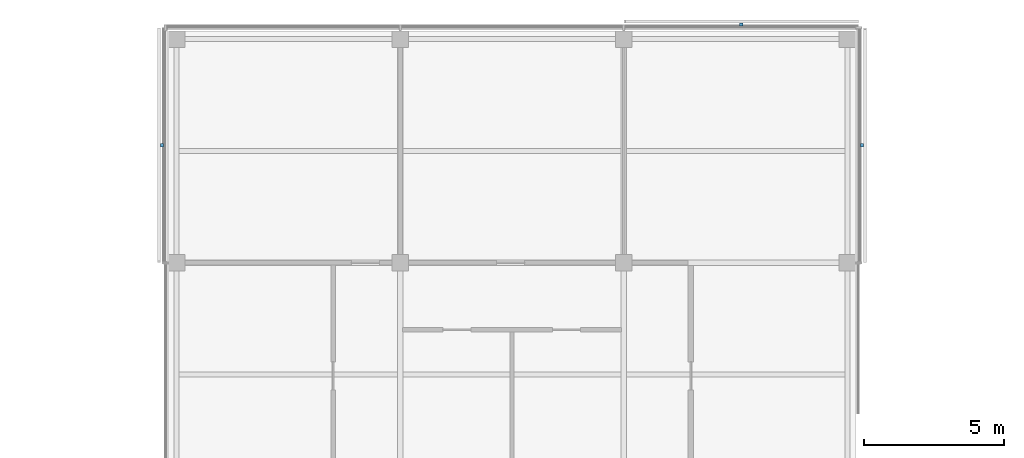
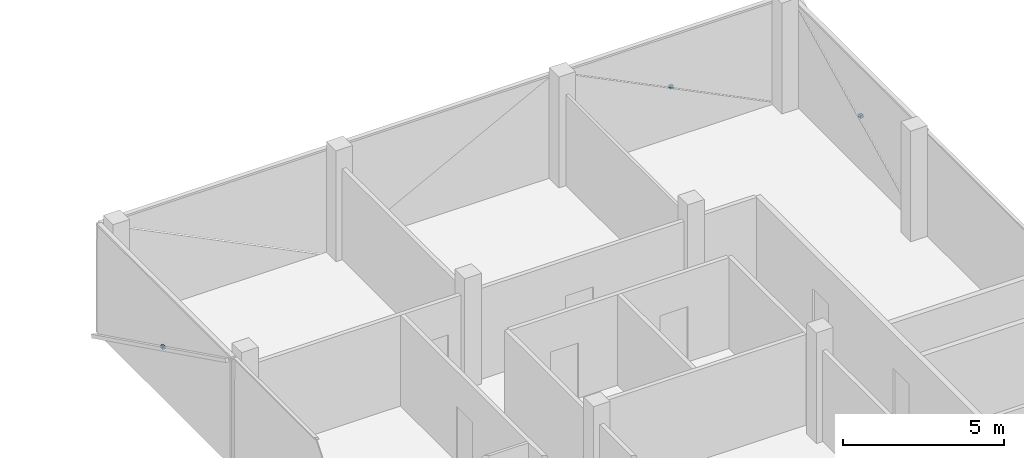
# One storey, part 15 of 16: 3 discrete accessories.
"""IFC4 building model written with IfcOpenShell, lengths in metres."""

from ifc_helpers import new_model, si_unit, direction, frame, origin, origin_2d, place, context, subcontext, project, spatial, rectangle, extrude, material, type_object, element, save


model = new_model("IFC4")

# Units and contexts
model_context = context("Model", 3, precision=1e-05, world=origin(), true_north=direction((0.0, 1.0)))
body_context = subcontext(model_context, "Body", "Model", "MODEL_VIEW")
ifc_project = project(units=[si_unit("LENGTHUNIT", "METRE"), si_unit("AREAUNIT", "SQUARE_METRE"), si_unit("VOLUMEUNIT", "CUBIC_METRE"), si_unit("PLANEANGLEUNIT", "RADIAN"), si_unit("MASSUNIT", "GRAM", prefix="KILO")], contexts=[model_context])

# Site, building, storey
site_placement = place(None, origin())
site = spatial("IfcSite", under=ifc_project, at=site_placement, CompositionType="ELEMENT")
building_placement = place(site_placement, origin())
building = spatial("IfcBuilding", under=site, at=building_placement, Name="Crosswind Convention Tower", CompositionType="ELEMENT")
storey_placement = place(building_placement, frame((0.0, 0.0, 336.5)))
storey = spatial("IfcBuildingStorey", under=building, at=storey_placement, Name="L73", CompositionType="ELEMENT", Elevation=336.5)

# Discrete accessories
ifc_material = material(Name="Stainless steel", Category="steel")
discrete_accessory_type = type_object("IfcDiscreteAccessoryType", Name="BAGUETTE BRACKET BK3", PredefinedType="BRACKET", material=ifc_material)
for number, where, z_axis, x_axis, name in (
    (1, (137.52587890625, 124.205078125, 1.704833984375), (0.0, 0.0, 1.0), (0.0, 1.0, 0.0), "BK3 baguette bracket"),
    (2, (133.205078125, 128.52587890625, 1.704833984375), (0.0, 0.0, 1.0), (-1.0, 0.0, 0.0), "BK3 baguette bracket"),
    (3, (112.47412109375, 124.205078125, 1.704833984375), (0.0, 0.0, 1.0), (0.0, -1.0, 0.0), "BK3 baguette bracket"),
):
    element("IfcDiscreteAccessory", number, at=place(storey_placement, frame(where, z_axis=z_axis, x_axis=x_axis)), inside=storey, type_object=discrete_accessory_type, Name=name, PredefinedType="BRACKET", context=body_context, shape_type="SweptSolid", body=[
        extrude(rectangle(XDim=0.1201171875, YDim=0.10009765625, at=origin_2d()), origin(), (0.0, 0.0, 1.0), 0.1201171875),
    ])

save(model, "model.ifc")
